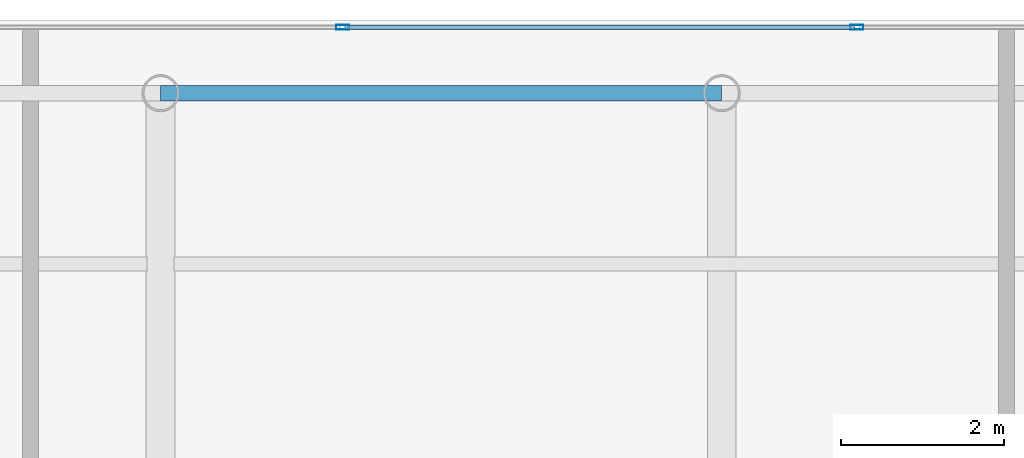
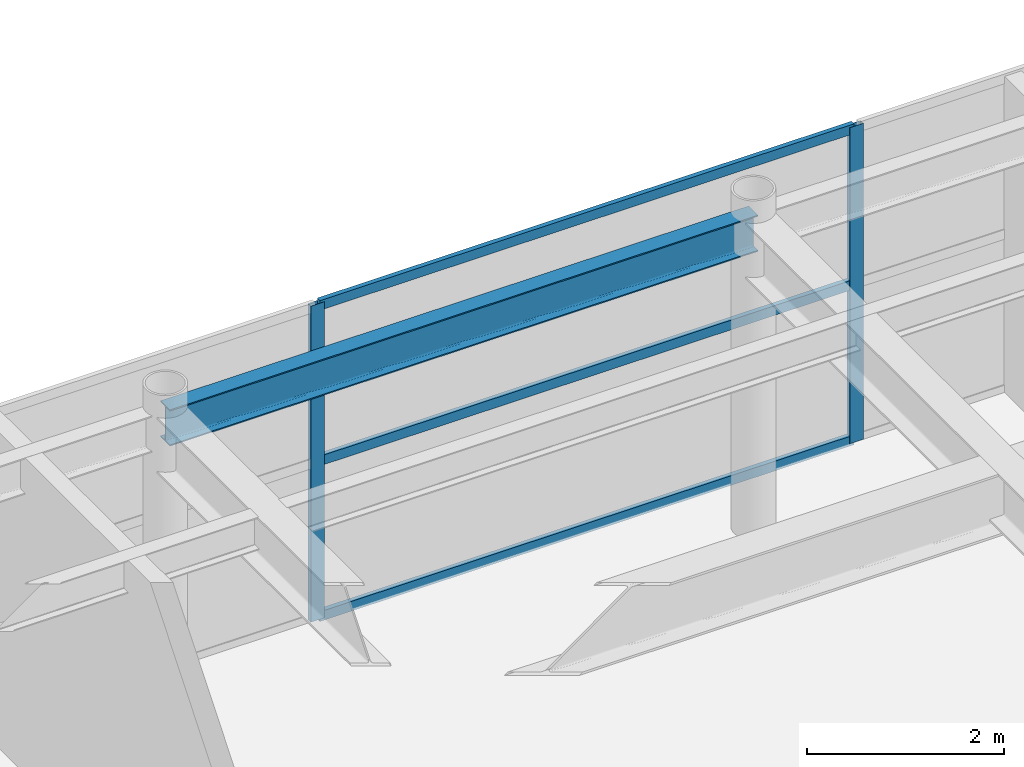
# One storey, part 25 of 32: 5 members, 1 beam, 1 element without a shape of its own.
"""IFC4 building model written with IfcOpenShell, lengths in metres."""

from ifc_helpers import new_model, si_unit, direction, frame, origin, origin_2d, place, context, subcontext, project, spatial, hollow_rectangle, i_section, extrude, source, transform, mapped, material, layer, layer_set, material_profile, profile_set, type_object, element, aggregate, save


model = new_model("IFC4")

# Units and contexts
model_context = context("Model", 3, precision=1e-05, world=origin(), true_north=direction((0.0, 1.0)))
body_context = subcontext(model_context, "Body", "Model", "MODEL_VIEW")
ifc_project = project(units=[si_unit("LENGTHUNIT", "METRE"), si_unit("AREAUNIT", "SQUARE_METRE"), si_unit("VOLUMEUNIT", "CUBIC_METRE"), si_unit("PLANEANGLEUNIT", "RADIAN"), si_unit("MASSUNIT", "GRAM", prefix="KILO")], contexts=[model_context])

# Site, building, storey
site_placement = place(None, origin())
site = spatial("IfcSite", under=ifc_project, at=site_placement, CompositionType="ELEMENT")
building_placement = place(site_placement, origin())
building = spatial("IfcBuilding", under=site, at=building_placement, Name="Khoralis Quay Care Tower", CompositionType="ELEMENT")
storey_placement = place(building_placement, frame((0.0, 0.0, 310.5)))
storey = spatial("IfcBuildingStorey", under=building, at=storey_placement, Name="L81", CompositionType="ELEMENT", Elevation=310.5)

# Beam
ifc_material_1 = material(Name="Steel S355", Category="steel")
ifc_material_profile_1 = material_profile(ifc_material_1, i_section(OverallWidth=0.18994140625, OverallDepth=0.449951171875, WebThickness=0.009521484375, FlangeThickness=0.0146484375, FilletRadius=0.02099609375, at=origin_2d()), Name="Steel S355")
ifc_profile_set_1 = profile_set([ifc_material_profile_1], Name="Steel S355")
beam_type = type_object("IfcBeamType", Name="BM-IPE450", PredefinedType="SPANDREL", material=ifc_profile_set_1)
shared_shape_1 = source(origin(), body_context, "Body", "SweptSolid", [
    extrude(i_section(OverallWidth=0.18994140625, OverallDepth=0.449951171875, WebThickness=0.009521484375, FlangeThickness=0.0146484375, FilletRadius=0.02099609375, at=origin_2d()), origin(), (0.0, 0.0, 1.0), 6.89990234375),
])
beam_placement = place(storey_placement, frame((17.10009765625, 41.10009765625, 3.695068359375), z_axis=(1.0, 0.0, 0.0), x_axis=(0.0, 1.0, 0.0)))
element("IfcBeam", 1, at=beam_placement, inside=storey, type_object=beam_type, Name="BM-TSP-L81-06", PredefinedType="SPANDREL", context=body_context, shape_type="MappedRepresentation", body=[
    mapped(shared_shape_1, transform((0.0, 0.0, 0.0), scale=1.0)),
])

# Curtain wall, members
ifc_material_2 = material(Name="Pale anodised aluminium", Category="aluminium")
ifc_layer = layer(ifc_material_2, 0.199951171875)
ifc_layer_set = layer_set([ifc_layer], Name="Pale anodised aluminium")
curtain_wall_type = type_object("IfcCurtainWallType", Name="CW-SYS-LANTERN", PredefinedType="NOTDEFINED", material=ifc_layer_set)
curtain_wall_placement = place(storey_placement, origin())
curtain_wall = element("IfcCurtainWall", 2, at=curtain_wall_placement, inside=storey, type_object=curtain_wall_type, Name="L81 Unitised Curtain Wall CW-LN-L81-11", PredefinedType="NOTDEFINED")
ifc_material_profile_2 = material_profile(ifc_material_2, hollow_rectangle(XDim=0.054931640625, YDim=0.1201171875, WallThickness=0.00390625, at=origin_2d()), Name="Pale anodised aluminium")
ifc_profile_set_2 = profile_set([ifc_material_profile_2], Name="Pale anodised aluminium")
member_type_1 = type_object("IfcMemberType", Name="CW-TRN-120", PredefinedType="USERDEFINED", material=ifc_profile_set_2)
shared_shape_2 = source(origin(), body_context, "Body", "SweptSolid", [
    extrude(hollow_rectangle(XDim=0.054931640625, YDim=0.1201171875, WallThickness=0.00390625, at=origin_2d()), origin(), (0.0, 0.0, 1.0), 6.26416015625),
])
member_1_placement = place(storey_placement, frame((25.632080078125, 41.909912109375, 0.030029296875), z_axis=(-1.0, 0.0, 0.0), x_axis=(0.0, -1.0, 0.0)))
member_1 = element("IfcMember", 3, at=member_1_placement, type_object=member_type_1, Name="CW5 transom 3.1", ObjectType="TRANSOM", PredefinedType="USERDEFINED", context=body_context, shape_type="MappedRepresentation", body=[
    mapped(shared_shape_2, transform((0.0, 0.0, 0.0), scale=1.0)),
])
member_2_placement = place(storey_placement, frame((25.632080078125, 41.909912109375, 1.9599609375), z_axis=(-1.0, 0.0, 0.0), x_axis=(0.0, -1.0, 0.0)))
member_2 = element("IfcMember", 4, at=member_2_placement, type_object=member_type_1, Name="CW5 transom 3.2", ObjectType="TRANSOM", PredefinedType="USERDEFINED", context=body_context, shape_type="MappedRepresentation", body=[
    mapped(shared_shape_2, transform((0.0, 0.0, 0.0), scale=1.0)),
])
member_3_placement = place(storey_placement, frame((25.632080078125, 41.909912109375, 3.889892578125), z_axis=(-1.0, 0.0, 0.0), x_axis=(0.0, -1.0, 0.0)))
member_3 = element("IfcMember", 5, at=member_3_placement, type_object=member_type_1, Name="CW5 transom 3.3", ObjectType="TRANSOM", PredefinedType="USERDEFINED", context=body_context, shape_type="MappedRepresentation", body=[
    mapped(shared_shape_2, transform((0.0, 0.0, 0.0), scale=1.0)),
])
ifc_material_profile_3 = material_profile(ifc_material_2, hollow_rectangle(XDim=0.06005859375, YDim=0.159912109375, WallThickness=0.00390625, at=origin_2d()), Name="Pale anodised aluminium")
ifc_profile_set_3 = profile_set([ifc_material_profile_3], Name="Pale anodised aluminium")
member_type_2 = type_object("IfcMemberType", Name="CW-MUL-160", PredefinedType="MULLION", material=ifc_profile_set_3)
shared_shape_3 = source(origin(), body_context, "Body", "SweptSolid", [
    extrude(hollow_rectangle(XDim=0.06005859375, YDim=0.159912109375, WallThickness=0.00390625, at=origin_2d()), origin(), (0.0, 0.0, 1.0), 3.919921875),
])
member_4_placement = place(storey_placement, frame((25.662109375, 41.909912109375, 0.0), z_axis=(0.0, 0.0, 1.0), x_axis=(0.0, -1.0, 0.0)))
member_4 = element("IfcMember", 6, at=member_4_placement, type_object=member_type_2, Name="CW5 mullion 3", PredefinedType="MULLION", context=body_context, shape_type="MappedRepresentation", body=[
    mapped(shared_shape_3, transform((0.0, 0.0, 0.0), scale=1.0)),
])
member_5_placement = place(storey_placement, frame((19.337890625, 41.909912109375, 0.0), z_axis=(0.0, 0.0, 1.0), x_axis=(0.0, -1.0, 0.0)))
member_5 = element("IfcMember", 7, at=member_5_placement, type_object=member_type_2, Name="CW5 mullion 4", PredefinedType="MULLION", context=body_context, shape_type="MappedRepresentation", body=[
    mapped(shared_shape_3, transform((0.0, 0.0, 0.0), scale=1.0)),
])
aggregate(curtain_wall, [member_4, member_5, member_1, member_2, member_3])

save(model, "model.ifc")
